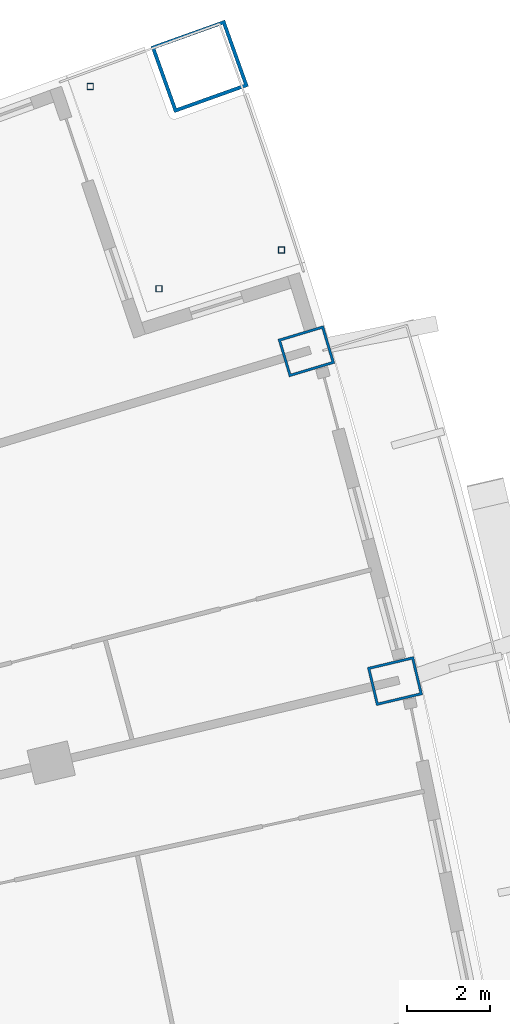
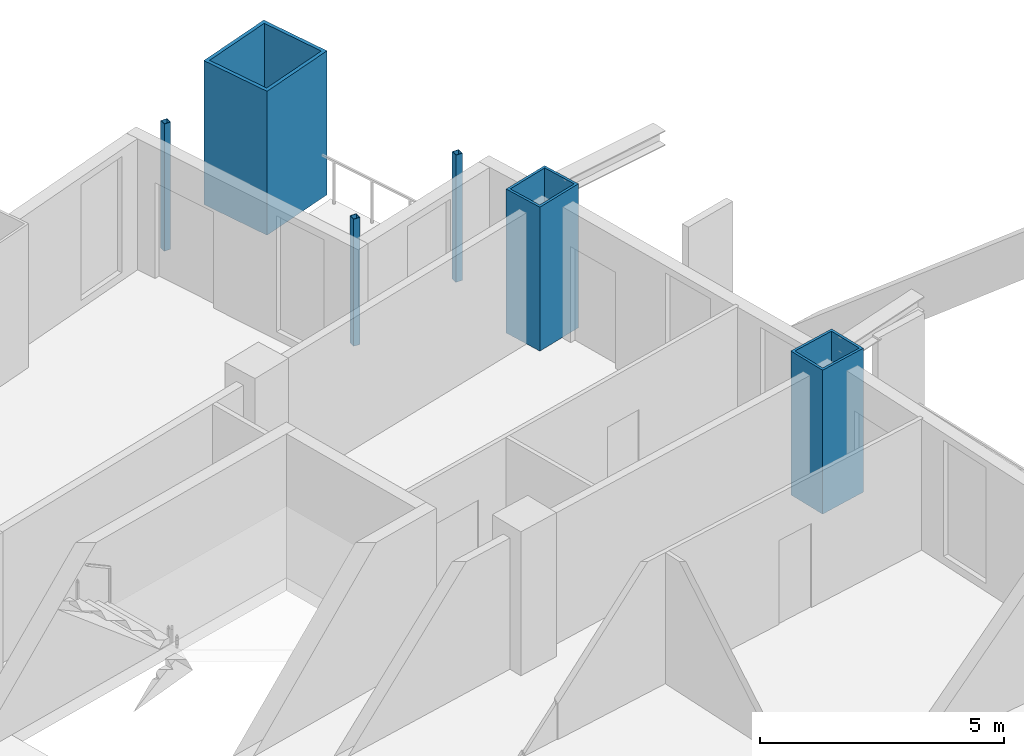
# One storey, part 11 of 25: 6 columns.
"""IFC4 building model written with IfcOpenShell, lengths in metres."""

from ifc_helpers import new_model, si_unit, direction, frame, origin, origin_2d, place, context, subcontext, project, spatial, hollow_rectangle, extrude, material, material_profile, profile_set, type_object, element, save


model = new_model("IFC4")

# Units and contexts
model_context = context("Model", 3, precision=1e-05, world=origin(), true_north=direction((0.0, 1.0)))
body_context = subcontext(model_context, "Body", "Model", "MODEL_VIEW")
ifc_project = project(units=[si_unit("LENGTHUNIT", "METRE"), si_unit("AREAUNIT", "SQUARE_METRE"), si_unit("VOLUMEUNIT", "CUBIC_METRE"), si_unit("PLANEANGLEUNIT", "RADIAN"), si_unit("MASSUNIT", "GRAM", prefix="KILO")], contexts=[model_context])

# Site, building, storey
site_placement = place(None, origin())
site = spatial("IfcSite", under=ifc_project, at=site_placement, CompositionType="ELEMENT")
building_placement = place(site_placement, origin())
building = spatial("IfcBuilding", under=site, at=building_placement, Name="Alderwake Tower", CompositionType="ELEMENT")
storey_placement = place(building_placement, frame((0.0, 0.0, 93.199951171875)))
storey = spatial("IfcBuildingStorey", under=building, at=storey_placement, Name="L22", CompositionType="ELEMENT", Elevation=93.199951171875)

# Columns
ifc_material_1 = material(Name="Steel ASTM A500 Grade C", Category="steel")
ifc_material_profile_1 = material_profile(ifc_material_1, hollow_rectangle(XDim=0.15234375, YDim=0.15234375, WallThickness=0.0087890625, at=origin_2d()), Name="HSS6X6X3/8")
ifc_profile_set_1 = profile_set([ifc_material_profile_1], Name="Steel ASTM A500 Grade C")
column_type_1 = type_object("IfcColumnType", Name="Light post HSS6X6X3/8", PredefinedType="COLUMN", material=ifc_profile_set_1)
for number, where, z_axis, x_axis, name in (
    (1, (54.827392578125, 104.10400390625, 0.0), (0.0, 0.0, 1.0), (1.0, 0.0, 0.0), "Terrace post FN1"),
    (2, (50.209716796875, 108.05126953125, 0.0), (0.0, 0.0, 1.0), (1.0, 0.0, 0.0), "Terrace post FN2"),
    (3, (51.87158203125, 103.16943359375, 0.0), (0.0, 0.0, 1.0), (1.0, 0.0, 0.0), "Terrace post FN3"),
):
    element("IfcColumn", number, at=place(storey_placement, frame(where, z_axis=z_axis, x_axis=x_axis)), inside=storey, type_object=column_type_1, Name=name, PredefinedType="COLUMN", context=body_context, shape_type="SweptSolid", body=[
        extrude(hollow_rectangle(XDim=0.15234375, YDim=0.15234375, WallThickness=0.0087890625, at=origin_2d()), origin(), (0.0, 0.0, 1.0), 3.179931640625),
    ])
ifc_material_2 = material(Name="Steel ASTM A572 Grade 50 concrete filled C70/85", Category="concrete")
ifc_material_profile_2 = material_profile(ifc_material_2, hollow_rectangle(XDim=1.699951171875, YDim=1.89990234375, WallThickness=0.0849609375, at=origin_2d()), Name="BOX 1900X1700X85")
ifc_profile_set_2 = profile_set([ifc_material_profile_2], Name="Steel ASTM A572 Grade 50 concrete filled C70/85")
column_type_2 = type_object("IfcColumnType", Name="Mega column Z2", PredefinedType="COLUMN", material=ifc_profile_set_2)
column_placement = place(storey_placement, frame((52.850830078125, 108.538330078125, 0.0), z_axis=(0.0, 0.0, 1.0), x_axis=(-0.336911216263, 0.941536421152, 0.0)))
element("IfcColumn", 4, at=column_placement, inside=storey, type_object=column_type_2, Name="Column R13-C5", PredefinedType="COLUMN", context=body_context, shape_type="SweptSolid", body=[
    extrude(hollow_rectangle(XDim=1.699951171875, YDim=1.89990234375, WallThickness=0.0849609375, at=origin_2d()), origin(), (0.0, 0.0, 1.0), 3.60009765625),
])
ifc_material_3 = material(Name="Steel ASTM A572 Grade 50 concrete filled C70/85", Category="concrete")
ifc_material_profile_3 = material_profile(ifc_material_3, hollow_rectangle(XDim=0.949951171875, YDim=1.14990234375, WallThickness=0.06005859375, at=origin_2d()), Name="BOX 1150X950X60")
ifc_profile_set_3 = profile_set([ifc_material_profile_3], Name="Steel ASTM A572 Grade 50 concrete filled C70/85")
column_type_3 = type_object("IfcColumnType", Name="Perimeter column Z2", PredefinedType="COLUMN", material=ifc_profile_set_3)
for number, where, z_axis, x_axis, name in (
    (5, (57.568115234375, 93.69482421875, 0.0), (0.0, 0.0, 1.0), (-0.231221547198, 0.972901123502, 0.0), "Column R11-C5"),
    (6, (55.427978515625, 101.659423828125, 0.0), (0.0, 0.0, 1.0), (-0.287549418125, 0.957765802342, 0.0), "Column R12-C5"),
):
    element("IfcColumn", number, at=place(storey_placement, frame(where, z_axis=z_axis, x_axis=x_axis)), inside=storey, type_object=column_type_3, Name=name, PredefinedType="COLUMN", context=body_context, shape_type="SweptSolid", body=[
        extrude(hollow_rectangle(XDim=0.949951171875, YDim=1.14990234375, WallThickness=0.06005859375, at=origin_2d()), origin(), (0.0, 0.0, 1.0), 3.60009765625),
    ])

save(model, "model.ifc")
